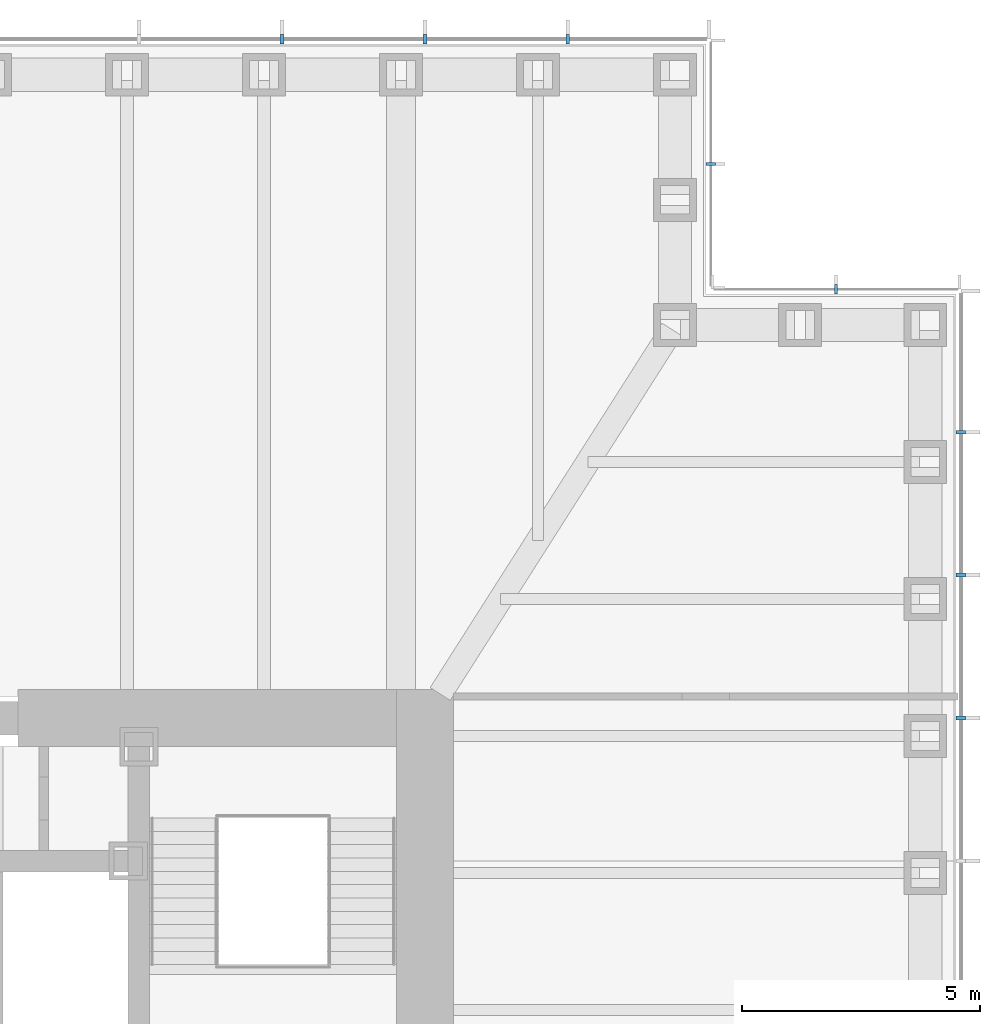
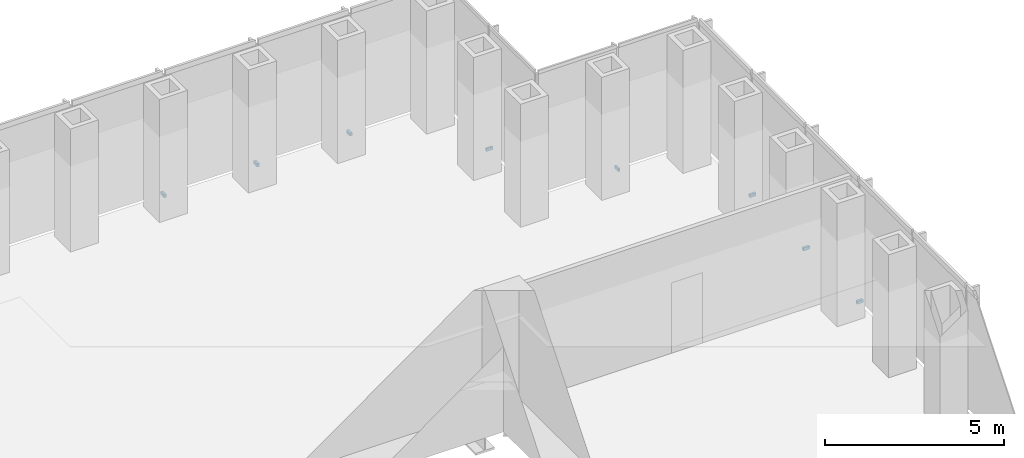
# One storey, part 15 of 16: 8 discrete accessories.
"""IFC4 building model written with IfcOpenShell, lengths in metres."""

from ifc_helpers import new_model, si_unit, direction, frame, origin, origin_2d, place, context, subcontext, project, spatial, rectangle, extrude, element, save


model = new_model("IFC4")

# Units and contexts
model_context = context("Model", 3, precision=1e-05, world=origin(), true_north=direction((0.0, 1.0)))
body_context = subcontext(model_context, "Body", "Model", "MODEL_VIEW")
ifc_project = project(units=[si_unit("LENGTHUNIT", "METRE"), si_unit("AREAUNIT", "SQUARE_METRE"), si_unit("VOLUMEUNIT", "CUBIC_METRE"), si_unit("PLANEANGLEUNIT", "RADIAN"), si_unit("MASSUNIT", "GRAM", prefix="KILO")], contexts=[model_context])

# Site, building, storey
site_placement = place(None, origin())
site = spatial("IfcSite", under=ifc_project, at=site_placement, CompositionType="ELEMENT")
building_placement = place(site_placement, origin())
building = spatial("IfcBuilding", under=site, at=building_placement, Name="Daluyong Arena Tower", CompositionType="ELEMENT")
storey_placement = place(building_placement, frame((0.0, 0.0, 137.5)))
storey = spatial("IfcBuildingStorey", under=building, at=storey_placement, Name="L30", CompositionType="ELEMENT", Elevation=137.5)

# Discrete accessories
for number, where, z_axis, x_axis, name in (
    (1, (79.25, 89.0, -0.10009765625), (0.0, 0.0, 1.0), (0.0, 1.0, 0.0), "curtain wall L30 E anchor bracket 10"),
    (2, (79.25, 92.0, -0.10009765625), (0.0, 0.0, 1.0), (0.0, 1.0, 0.0), "curtain wall L30 E anchor bracket 11"),
    (3, (79.25, 95.0, -0.10009765625), (0.0, 0.0, 1.0), (0.0, 1.0, 0.0), "curtain wall L30 E anchor bracket 12"),
):
    element("IfcDiscreteAccessory", number, at=place(storey_placement, frame(where, z_axis=z_axis, x_axis=x_axis)), inside=storey, Name=name, PredefinedType="BRACKET", context=body_context, shape_type="SweptSolid", body=[
        extrude(rectangle(XDim=0.080078125, YDim=0.199951171875, at=origin_2d()), origin(), (0.0, 0.0, 1.0), 0.10009765625),
    ])
for number, where, z_axis, x_axis, name in (
    (4, (76.625, 98.0, -0.10009765625), (0.0, 0.0, 1.0), (-1.0, 0.0, 0.0), "curtain wall L30 NE-N anchor bracket 2"),
    (5, (74.0, 100.625, -0.10009765625), (0.0, 0.0, 1.0), (0.0, 1.0, 0.0), "curtain wall L30 NE-E anchor bracket 2"),
):
    element("IfcDiscreteAccessory", number, at=place(storey_placement, frame(where, z_axis=z_axis, x_axis=x_axis)), inside=storey, Name=name, PredefinedType="BRACKET", context=body_context, shape_type="SweptSolid", body=[
        extrude(rectangle(XDim=0.06005859375, YDim=0.199951171875, at=origin_2d()), origin(), (0.0, 0.0, 1.0), 0.10009765625),
    ])
for number, where, z_axis, x_axis, name in (
    (6, (71.0, 103.25, -0.10009765625), (0.0, 0.0, 1.0), (-1.0, 0.0, 0.0), "curtain wall L30 N anchor bracket 2"),
    (7, (68.0, 103.25, -0.10009765625), (0.0, 0.0, 1.0), (-1.0, 0.0, 0.0), "curtain wall L30 N anchor bracket 3"),
    (8, (65.0, 103.25, -0.10009765625), (0.0, 0.0, 1.0), (-1.0, 0.0, 0.0), "curtain wall L30 N anchor bracket 4"),
):
    element("IfcDiscreteAccessory", number, at=place(storey_placement, frame(where, z_axis=z_axis, x_axis=x_axis)), inside=storey, Name=name, PredefinedType="BRACKET", context=body_context, shape_type="SweptSolid", body=[
        extrude(rectangle(XDim=0.080078125, YDim=0.199951171875, at=origin_2d()), origin(), (0.0, 0.0, 1.0), 0.10009765625),
    ])

save(model, "model.ifc")
